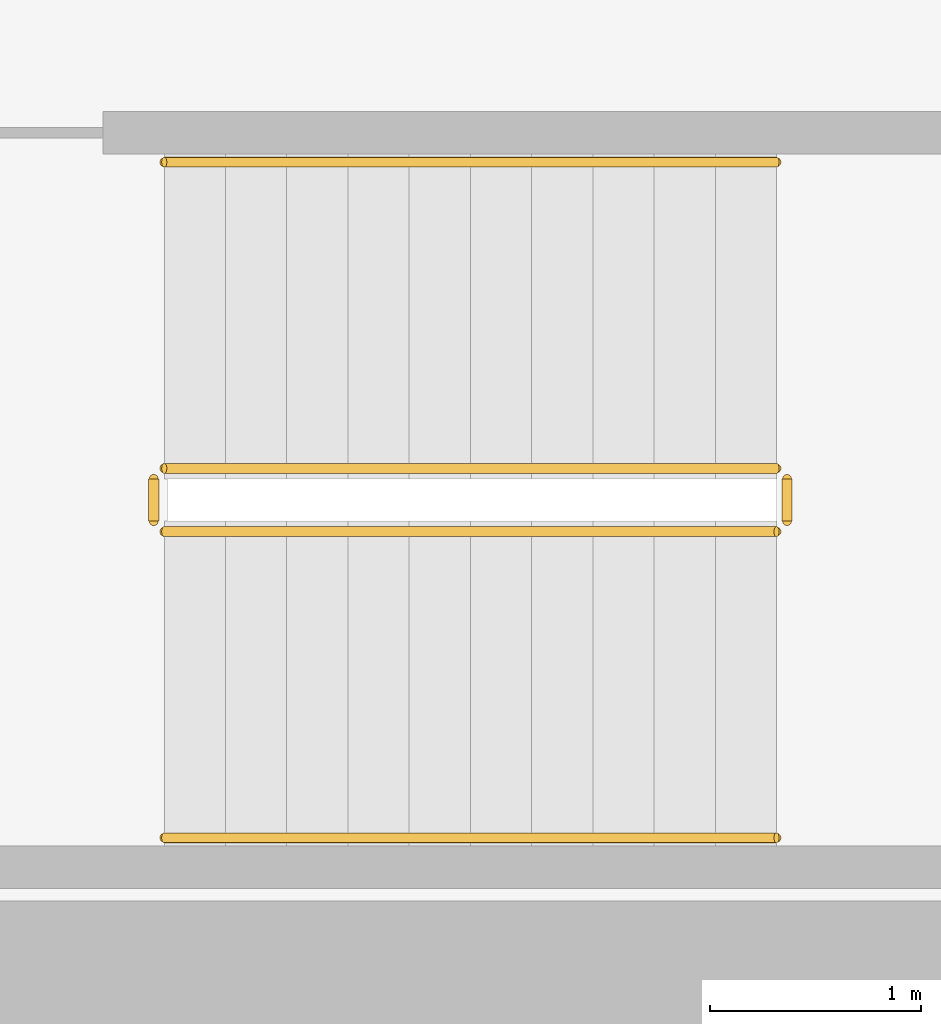
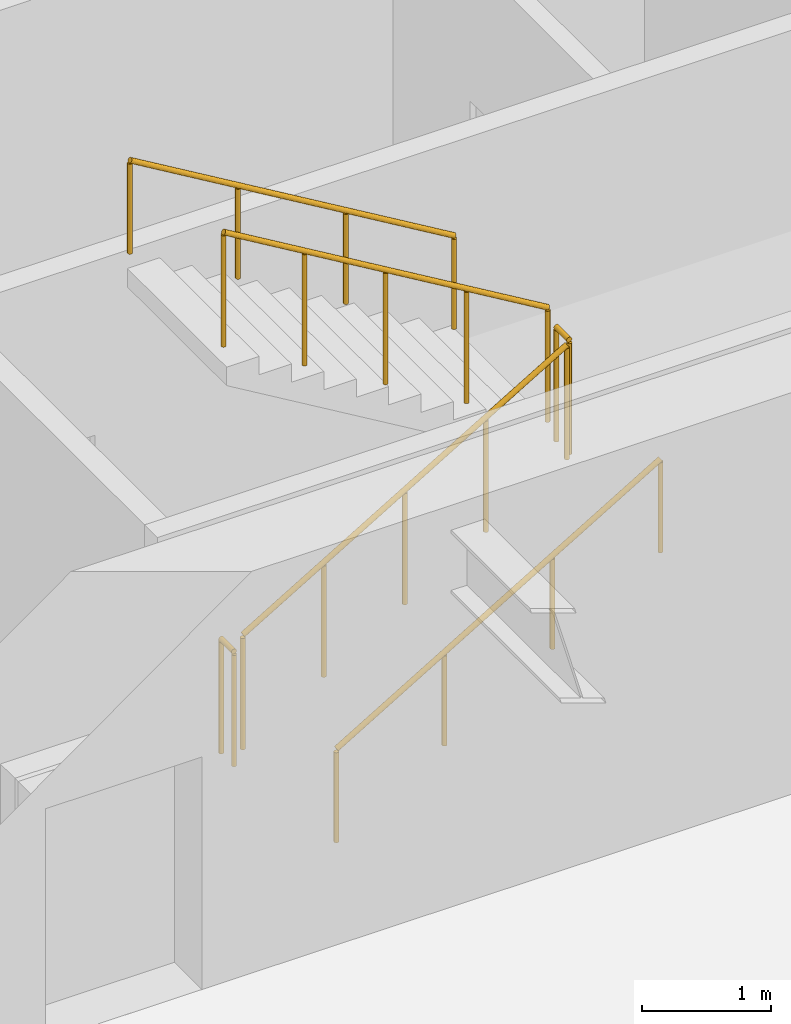
# One storey, part 19 of 20: 6 railings.
"""IFC4 building model written with IfcOpenShell, lengths in metres."""

from ifc_helpers import new_model, si_unit, direction, frame, origin, origin_2d, place, context, subcontext, project, spatial, circle, extrude, material, type_object, element, save


model = new_model("IFC4")

# Units and contexts
model_context = context("Model", 3, precision=1e-05, world=origin(), true_north=direction((0.0, 1.0)))
body_context = subcontext(model_context, "Body", "Model", "MODEL_VIEW")
ifc_project = project(units=[si_unit("LENGTHUNIT", "METRE"), si_unit("AREAUNIT", "SQUARE_METRE"), si_unit("VOLUMEUNIT", "CUBIC_METRE"), si_unit("PLANEANGLEUNIT", "RADIAN"), si_unit("MASSUNIT", "GRAM", prefix="KILO")], contexts=[model_context])

# Site, building, storey
site_placement = place(None, origin())
site = spatial("IfcSite", under=ifc_project, at=site_placement, CompositionType="ELEMENT")
building_placement = place(site_placement, origin())
building = spatial("IfcBuilding", under=site, at=building_placement, Name="Putna Gate Headquarters", CompositionType="ELEMENT")
storey_placement = place(building_placement, frame((0.0, 0.0, 108.800048828125)))
storey = spatial("IfcBuildingStorey", under=building, at=storey_placement, Name="L26", CompositionType="ELEMENT", Elevation=108.800048828125)

# Railings
ifc_material_1 = material(Name="Powder-coated steel stair guardrail", Category="steel")
railing_type_1 = type_object("IfcRailingType", Name="RAIL-STAIR-GUARD-1100", PredefinedType="GUARDRAIL", material=ifc_material_1)
railing_1_placement = place(storey_placement, frame((57.89990234375, 21.10009765625, 0.172607421875)))
element("IfcRailing", 1, at=railing_1_placement, inside=storey, type_object=railing_type_1, Name="L26 ST2 stair guard 1", PredefinedType="GUARDRAIL", context=body_context, shape_type="SweptSolid", body=[
    extrude(circle(Radius=0.02392578125, at=origin_2d()), frame((0.0, 0.0, 1.076171875), z_axis=(0.859160404282, 0.0, 0.51170636083), x_axis=(0.0, 1.0, 0.0)), (0.0, 0.0, 1.0), 3.37548828125),
    extrude(circle(Radius=0.02099609375, at=origin_2d()), origin(), (0.0, 0.0, 1.0), 1.052001953125),
    extrude(circle(Radius=0.02099609375, at=origin_2d()), frame((0.72509765625, 0.0, 0.431884765625)), (0.0, 0.0, 1.0), 1.052001953125),
    extrude(circle(Radius=0.02099609375, at=origin_2d()), frame((1.4501953125, 0.0, 0.86376953125)), (0.0, 0.0, 1.0), 1.052001953125),
    extrude(circle(Radius=0.02099609375, at=origin_2d()), frame((2.175048828125, 0.0, 1.29541015625)), (0.0, 0.0, 1.0), 1.052001953125),
    extrude(circle(Radius=0.02099609375, at=origin_2d()), frame((2.900146484375, 0.0, 1.727294921875)), (0.0, 0.0, 1.0), 1.052001953125),
])
railing_2_placement = place(storey_placement, frame((60.85009765625, 21.14990234375, 1.89990234375)))
element("IfcRailing", 2, at=railing_2_placement, inside=storey, type_object=railing_type_1, Name="L26 ST2 stair guard 2", PredefinedType="GUARDRAIL", context=body_context, shape_type="SweptSolid", body=[
    extrude(circle(Radius=0.02392578125, at=origin_2d()), frame((0.0, 0.0, 1.076171875), z_axis=(0.0, 1.0, 0.0), x_axis=(-1.0, 0.0, 0.0)), (0.0, 0.0, 1.0), 0.2001953125),
    extrude(circle(Radius=0.02099609375, at=origin_2d()), origin(), (0.0, 0.0, 1.0), 1.052001953125),
    extrude(circle(Radius=0.02099609375, at=origin_2d()), frame((0.0, 0.2001953125, 0.0)), (0.0, 0.0, 1.0), 1.052001953125),
])
railing_3_placement = place(storey_placement, frame((60.800048828125, 21.39990234375, 2.07275390625)))
element("IfcRailing", 3, at=railing_3_placement, inside=storey, type_object=railing_type_1, Name="L26 ST2 stair guard 3", PredefinedType="GUARDRAIL", context=body_context, shape_type="SweptSolid", body=[
    extrude(circle(Radius=0.02392578125, at=origin_2d()), frame((0.0, 0.0, 1.076171875), z_axis=(-0.859160404282, 0.0, 0.51170636083), x_axis=(0.0, -1.0, 0.0)), (0.0, 0.0, 1.0), 3.37548828125),
    extrude(circle(Radius=0.02099609375, at=origin_2d()), origin(), (0.0, 0.0, 1.0), 1.052001953125),
    extrude(circle(Radius=0.02099609375, at=origin_2d()), frame((-0.72509765625, 0.0, 0.431884765625)), (0.0, 0.0, 1.0), 1.052001953125),
    extrude(circle(Radius=0.02099609375, at=origin_2d()), frame((-1.4501953125, 0.0, 0.86376953125)), (0.0, 0.0, 1.0), 1.052001953125),
    extrude(circle(Radius=0.02099609375, at=origin_2d()), frame((-2.175048828125, 0.0, 1.29541015625)), (0.0, 0.0, 1.0), 1.052001953125),
    extrude(circle(Radius=0.02099609375, at=origin_2d()), frame((-2.900146484375, 0.0, 1.727294921875)), (0.0, 0.0, 1.0), 1.052001953125),
])
railing_4_placement = place(storey_placement, frame((57.85009765625, 21.14990234375, 0.0)))
element("IfcRailing", 4, at=railing_4_placement, inside=storey, type_object=railing_type_1, Name="L26 ST2 stair guard 4", PredefinedType="GUARDRAIL", context=body_context, shape_type="SweptSolid", body=[
    extrude(circle(Radius=0.02392578125, at=origin_2d()), frame((0.0, 0.0, 1.076171875), z_axis=(0.0, 1.0, 0.0), x_axis=(-1.0, 0.0, 0.0)), (0.0, 0.0, 1.0), 0.2001953125),
    extrude(circle(Radius=0.02099609375, at=origin_2d()), origin(), (0.0, 0.0, 1.0), 1.052001953125),
    extrude(circle(Radius=0.02099609375, at=origin_2d()), frame((0.0, 0.2001953125, 0.0)), (0.0, 0.0, 1.0), 1.052001953125),
])
ifc_material_2 = material(Name="Brushed stainless steel handrail", Category="steel")
railing_type_2 = type_object("IfcRailingType", Name="RAIL-STAIR-HAND-900", PredefinedType="HANDRAIL", material=ifc_material_2)
railing_5_placement = place(storey_placement, frame((57.89990234375, 19.64990234375, 0.172607421875)))
element("IfcRailing", 5, at=railing_5_placement, inside=storey, type_object=railing_type_2, Name="L26 ST2 stair handrail 1", PredefinedType="HANDRAIL", context=body_context, shape_type="SweptSolid", body=[
    extrude(circle(Radius=0.02392578125, at=origin_2d()), frame((0.0, 0.0, 0.8759765625), z_axis=(0.859160404282, 0.0, 0.51170636083), x_axis=(0.0, 1.0, 0.0)), (0.0, 0.0, 1.0), 3.37548828125),
    extrude(circle(Radius=0.02099609375, at=origin_2d()), origin(), (0.0, 0.0, 1.0), 0.851806640625),
    extrude(circle(Radius=0.02099609375, at=origin_2d()), frame((0.966796875, 0.0, 0.57568359375)), (0.0, 0.0, 1.0), 0.851806640625),
    extrude(circle(Radius=0.02099609375, at=origin_2d()), frame((1.933349609375, 0.0, 1.151611328125)), (0.0, 0.0, 1.0), 0.851806640625),
    extrude(circle(Radius=0.02099609375, at=origin_2d()), frame((2.900146484375, 0.0, 1.727294921875)), (0.0, 0.0, 1.0), 0.851806640625),
])
railing_6_placement = place(storey_placement, frame((60.800048828125, 22.85009765625, 2.07275390625)))
element("IfcRailing", 6, at=railing_6_placement, inside=storey, type_object=railing_type_2, Name="L26 ST2 stair handrail 2", PredefinedType="HANDRAIL", context=body_context, shape_type="SweptSolid", body=[
    extrude(circle(Radius=0.02392578125, at=origin_2d()), frame((0.0, 0.0, 0.8759765625), z_axis=(-0.859160404282, 0.0, 0.51170636083), x_axis=(0.0, -1.0, 0.0)), (0.0, 0.0, 1.0), 3.37548828125),
    extrude(circle(Radius=0.02099609375, at=origin_2d()), origin(), (0.0, 0.0, 1.0), 0.851806640625),
    extrude(circle(Radius=0.02099609375, at=origin_2d()), frame((-0.966796875, 0.0, 0.57568359375)), (0.0, 0.0, 1.0), 0.851806640625),
    extrude(circle(Radius=0.02099609375, at=origin_2d()), frame((-1.933349609375, 0.0, 1.151611328125)), (0.0, 0.0, 1.0), 0.851806640625),
    extrude(circle(Radius=0.02099609375, at=origin_2d()), frame((-2.900146484375, 0.0, 1.727294921875)), (0.0, 0.0, 1.0), 0.851806640625),
])

save(model, "model.ifc")
